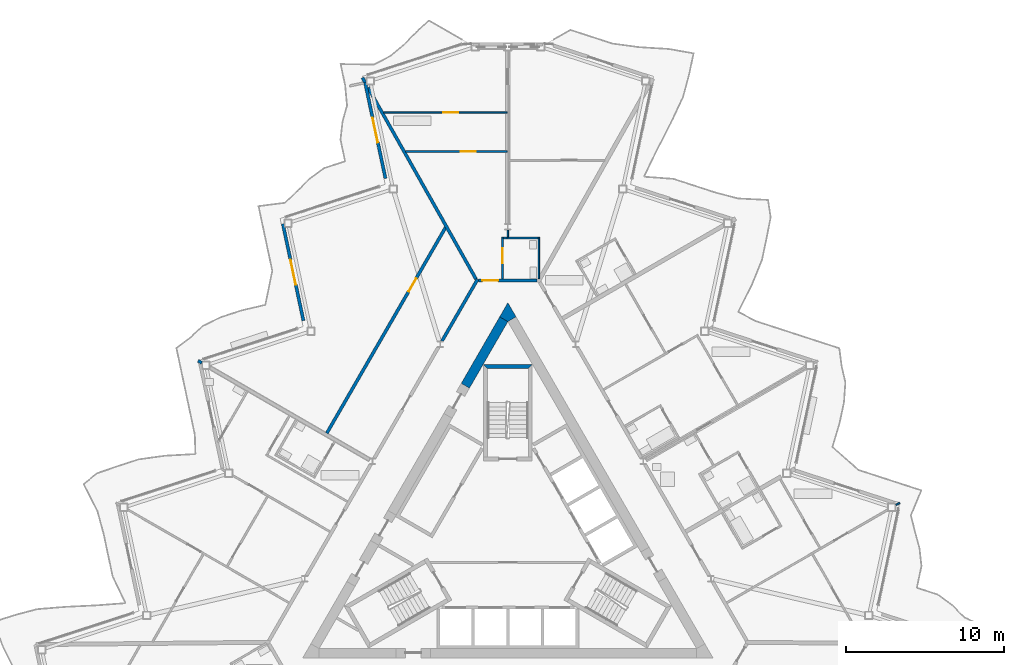
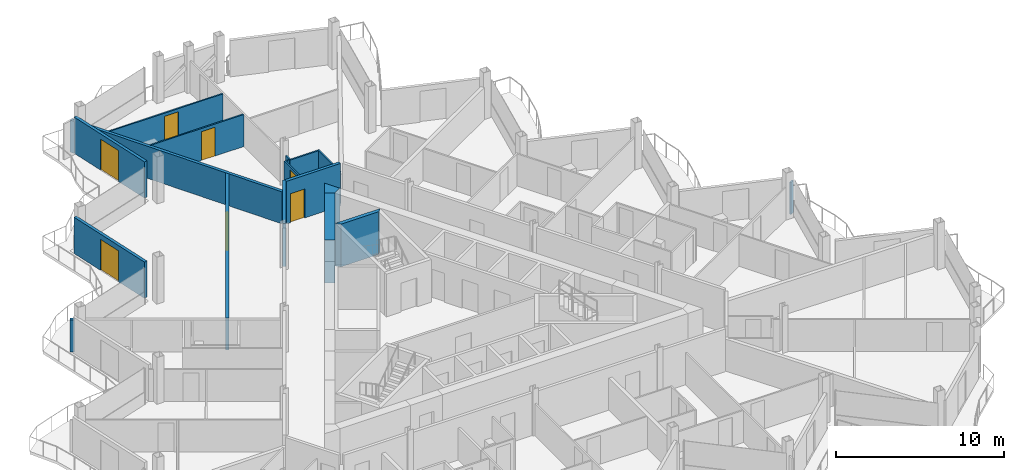
# One storey, part 17 of 26: 19 walls, 7 doors, 7 openings.
"""IFC4 building model written with IfcOpenShell, lengths in metres."""

from ifc_helpers import new_model, si_unit, direction, frame, frame_2d, origin, place, context, subcontext, project, spatial, polyline, rectangle, outline, extrude, material, layer, layer_set, type_object, element, fill, save


model = new_model("IFC4")

# Units and contexts
model_context = context("Model", 3, precision=1e-05, world=origin(), true_north=direction((0.0, 1.0)))
body_context = subcontext(model_context, "Body", "Model", "MODEL_VIEW")
ifc_project = project(units=[si_unit("LENGTHUNIT", "METRE"), si_unit("AREAUNIT", "SQUARE_METRE"), si_unit("VOLUMEUNIT", "CUBIC_METRE"), si_unit("PLANEANGLEUNIT", "RADIAN"), si_unit("MASSUNIT", "GRAM", prefix="KILO")], contexts=[model_context])

# Site, building, storey
site_placement = place(None, origin())
site = spatial("IfcSite", under=ifc_project, at=site_placement, CompositionType="ELEMENT")
building_placement = place(site_placement, origin())
building = spatial("IfcBuilding", under=site, at=building_placement, Name="Cormorant Prow Tower", CompositionType="ELEMENT")
storey_placement = place(building_placement, frame((0.0, 0.0, 374.60009765625)))
storey = spatial("IfcBuildingStorey", under=building, at=storey_placement, Name="L84", CompositionType="ELEMENT", Elevation=374.60009765625)

# Walls
ifc_material_1 = material(Name="Concrete 8000 psi", Category="concrete")
ifc_layer_1 = layer(ifc_material_1, 0.60009765625)
ifc_layer_set_1 = layer_set([ifc_layer_1], Name="Concrete 8000 psi")
wall_type_1 = type_object("IfcWallType", Name="Core shear wall 600", PredefinedType="SHEAR", material=ifc_layer_set_1)
wall_1_placement = place(storey_placement, frame((-0.259765625, 13.961181640625, 0.0), z_axis=(0.0, 0.0, 1.0), x_axis=(-0.50000604952, -0.866021911064, 0.0)))
element("IfcWall", 1, at=wall_1_placement, inside=storey, type_object=wall_type_1, Name="Core wall", PredefinedType="SHEAR", context=body_context, shape_type="SweptSolid", body=[
    extrude(rectangle(XDim=4.86865234375, YDim=0.60009765625, at=frame_2d((2.434326171875, 0.0))), origin(), (0.0, 0.0, 1.0), 3.099853515625),
])
wall_2_placement = place(storey_placement, origin())
element("IfcWall", 2, at=wall_2_placement, inside=storey, type_object=wall_type_1, Name="Core wall corner", PredefinedType="SHEAR", context=body_context, shape_type="SweptSolid", body=[
    extrude(outline(polyline([(-0.51953125, 14.111083984375), (0.0, 15.010986328125), (0.51953125, 14.111083984375), (0.0, 13.81103515625), (-0.51953125, 14.111083984375)])), origin(), (0.0, 0.0, 1.0), 3.099853515625),
])
ifc_material_2 = material(Name="Gypsum board corridor wall")
ifc_layer_2 = layer(ifc_material_2, 0.199951171875)
ifc_layer_set_2 = layer_set([ifc_layer_2], Name="Gypsum board corridor wall")
wall_type_2 = type_object("IfcWallType", Name="Corridor wall 200", PredefinedType="PARTITIONING", material=ifc_layer_set_2)
wall_3_placement = place(storey_placement, frame((-4.175537109375, 12.578857421875, 0.0), z_axis=(0.0, 0.0, 1.0), x_axis=(0.499974648164, 0.866040040179, 0.0)))
element("IfcWall", 3, at=wall_3_placement, inside=storey, type_object=wall_type_2, Name="Corridor wall", PredefinedType="PARTITIONING", context=body_context, shape_type="SweptSolid", body=[
    extrude(rectangle(XDim=4.525146484375, YDim=0.199951171875, at=frame_2d((2.2626953125, 0.0))), origin(), (0.0, 0.0, 1.0), 3.099853515625),
])

# Wall, opening, door
wall_4_placement = place(storey_placement, frame((-1.863037109375, 16.4111328125, 0.0), z_axis=(0.0, 0.0, 1.0), x_axis=(1.0, 0.0, 0.0)))
wall_4 = element("IfcWall", 4, at=wall_4_placement, inside=storey, type_object=wall_type_2, Name="Corridor wall", PredefinedType="PARTITIONING", context=body_context, shape_type="SweptSolid", body=[
    extrude(rectangle(XDim=3.700927734375, YDim=0.199951171875, at=frame_2d((1.8505859375, 0.0))), origin(), (0.0, 0.0, 1.0), 3.099853515625),
])
opening_1_placement = place(wall_4_placement, frame((0.25, 0.0, 0.0)))
opening_1 = element("IfcOpeningElement", 5, at=opening_1_placement, cuts=wall_4, Name="Opening L84-F37", PredefinedType="OPENING", context=body_context, shape_type="SweptSolid", body=[
    extrude(rectangle(XDim=1.0, YDim=2.10009765625, at=frame_2d((0.5, 1.050048828125))), frame((0.0, 0.10986328125, 0.0), z_axis=(0.0, -1.0, 0.0), x_axis=(1.0, 0.0, 0.0)), (0.0, 0.0, 1.0), 0.219970703125),
])
ifc_material_3 = material(Name="Timber door leaf", Category="wood")
door_type_1 = type_object("IfcDoorType", Name="Flat or room entrance door 1000x2100", OperationType="NOTDEFINED", PredefinedType="DOOR", material=ifc_material_3)
door_1_placement = place(opening_1_placement, origin())
door_1 = element("IfcDoor", 6, at=door_1_placement, inside=storey, type_object=door_type_1, Name="Living room door", OperationType="SINGLE_SWING_RIGHT", OverallHeight=2.10009765625, OverallWidth=1.0, PredefinedType="DOOR", context=body_context, shape_type="SweptSolid", body=[
    extrude(rectangle(XDim=1.0, YDim=2.10009765625, at=frame_2d((0.5, 1.050048828125))), frame((0.0, 0.02490234375, 0.0), z_axis=(0.0, -1.0, 0.0), x_axis=(1.0, 0.0, 0.0)), (0.0, 0.0, 1.0), 0.050048828125),
])
fill(opening_1, door_1)

ifc_material_4 = material(Name="Gypsum board demising wall")
ifc_layer_3 = layer(ifc_material_4, 0.199951171875)
ifc_layer_set_3 = layer_set([ifc_layer_3], Name="Gypsum board demising wall")
wall_type_3 = type_object("IfcWallType", Name="Demising wall 200", PredefinedType="PARTITIONING", material=ifc_layer_set_3)
wall_5_placement = place(storey_placement, frame((-11.472900390625, 6.739501953125, 0.0), z_axis=(0.0, 0.0, 1.0), x_axis=(0.500001082559, 0.866024778768, 0.0)))
wall_5 = element("IfcWall", 7, at=wall_5_placement, inside=storey, type_object=wall_type_3, Name="Demising wall", PredefinedType="PARTITIONING", context=body_context, shape_type="SweptSolid", body=[
    extrude(rectangle(XDim=15.09375, YDim=0.199951171875, at=frame_2d((7.546875, 0.0))), origin(), (0.0, 0.0, 1.0), 2.330078125),
])
opening_2_placement = place(wall_5_placement, frame((10.382568359375, 0.0, 0.0)))
opening_2 = element("IfcOpeningElement", 8, at=opening_2_placement, cuts=wall_5, Name="Opening L84-F44", PredefinedType="OPENING", context=body_context, shape_type="SweptSolid", body=[
    extrude(rectangle(XDim=0.949951171875, YDim=2.10009765625, at=frame_2d((0.47509765625, 1.050048828125))), frame((0.0, 0.10986328125, 0.0), z_axis=(0.0, -1.0, 0.0), x_axis=(1.0, 0.0, 0.0)), (0.0, 0.0, 1.0), 0.219970703125),
])
ifc_material_5 = material(Name="Timber door leaf", Category="wood")
door_type_2 = type_object("IfcDoorType", Name="Store door 950x2100", OperationType="NOTDEFINED", PredefinedType="DOOR", material=ifc_material_5)
door_2_placement = place(opening_2_placement, origin())
door_2 = element("IfcDoor", 9, at=door_2_placement, inside=storey, type_object=door_type_2, Name="Refuse room door", OperationType="SINGLE_SWING_RIGHT", OverallHeight=2.10009765625, OverallWidth=0.949951171875, PredefinedType="DOOR", context=body_context, shape_type="SweptSolid", body=[
    extrude(rectangle(XDim=0.949951171875, YDim=2.10009765625, at=frame_2d((0.47509765625, 1.050048828125))), frame((0.0, 0.02490234375, 0.0), z_axis=(0.0, -1.0, 0.0), x_axis=(1.0, 0.0, 0.0)), (0.0, 0.0, 1.0), 0.050048828125),
])
fill(opening_2, door_2)

# Walls
wall_6_placement = place(storey_placement, frame((-8.864990234375, 28.649169921875, 0.0), z_axis=(0.0, 0.0, 1.0), x_axis=(0.491236420263, -0.871026279401, 0.0)))
element("IfcWall", 10, at=wall_6_placement, inside=storey, type_object=wall_type_3, Name="Demising wall", PredefinedType="PARTITIONING", context=body_context, shape_type="SweptSolid", body=[
    extrude(rectangle(XDim=13.949951171875, YDim=0.199951171875, at=frame_2d((6.97509765625, 0.0))), origin(), (0.0, 0.0, 1.0), 2.330078125),
])
wall_7_placement = place(storey_placement, frame((-9.211181640625, 29.262939453125, 0.0), z_axis=(0.0, 0.0, 1.0), x_axis=(0.4910719836, -0.871118996994, 0.0)))
element("IfcWall", 11, at=wall_7_placement, inside=storey, type_object=wall_type_3, Name="Demising wall", PredefinedType="PARTITIONING", context=body_context, shape_type="SweptSolid", body=[
    extrude(rectangle(XDim=0.343017578125, YDim=0.199951171875, at=frame_2d((0.17138671875, 0.0))), origin(), (0.0, 0.0, 1.0), 2.330078125),
])
wall_8_placement = place(storey_placement, frame((-19.62890625, 11.332763671875, 0.0), z_axis=(0.0, 0.0, 1.0), x_axis=(0.866068339032, -0.499925626596, 0.0)))
element("IfcWall", 12, at=wall_8_placement, inside=storey, type_object=wall_type_3, Name="Demising wall", PredefinedType="PARTITIONING", context=body_context, shape_type="SweptSolid", body=[
    extrude(rectangle(XDim=0.27734375, YDim=0.199951171875, at=frame_2d((0.138671875, 0.0))), origin(), (0.0, 0.0, 1.0), 2.330078125),
])

# Wall, opening, door
ifc_material_6 = material(Name="Gypsum board partition")
ifc_layer_4 = layer(ifc_material_6, 0.10009765625)
ifc_layer_set_4 = layer_set([ifc_layer_4], Name="Gypsum board partition")
wall_type_4 = type_object("IfcWallType", Name="Internal partition 100", PredefinedType="PARTITIONING", material=ifc_layer_set_4)
wall_9_placement = place(storey_placement, frame((-7.870849609375, 27.063720703125, 0.0), z_axis=(0.0, 0.0, 1.0), x_axis=(1.0, 0.0, 0.0)))
wall_9 = element("IfcWall", 13, at=wall_9_placement, inside=storey, type_object=wall_type_4, Name="Internal partition", PredefinedType="PARTITIONING", context=body_context, shape_type="SweptSolid", body=[
    extrude(rectangle(XDim=7.82080078125, YDim=0.10009765625, at=frame_2d((3.910400390625, 0.0))), origin(), (0.0, 0.0, 1.0), 2.330078125),
])
opening_3_placement = place(wall_9_placement, frame((3.789306640625, 0.0, 0.0)))
opening_3 = element("IfcOpeningElement", 14, at=opening_3_placement, cuts=wall_9, Name="Opening L84-F40", PredefinedType="OPENING", context=body_context, shape_type="SweptSolid", body=[
    extrude(rectangle(XDim=0.949951171875, YDim=2.10009765625, at=frame_2d((0.47509765625, 1.050048828125))), frame((0.0, 0.06005859375, 0.0), z_axis=(0.0, -1.0, 0.0), x_axis=(1.0, 0.0, 0.0)), (0.0, 0.0, 1.0), 0.1201171875),
])
ifc_material_7 = material(Name="Timber door leaf", Category="wood")
door_type_3 = type_object("IfcDoorType", Name="Bathroom door 950x2100", OperationType="NOTDEFINED", PredefinedType="DOOR", material=ifc_material_7)
door_3_placement = place(opening_3_placement, origin())
door_3 = element("IfcDoor", 15, at=door_3_placement, inside=storey, type_object=door_type_3, Name="Kitchen door", OperationType="SINGLE_SWING_LEFT", OverallHeight=2.10009765625, OverallWidth=0.949951171875, PredefinedType="DOOR", context=body_context, shape_type="SweptSolid", body=[
    extrude(rectangle(XDim=0.949951171875, YDim=2.10009765625, at=frame_2d((0.47509765625, 1.050048828125))), frame((0.0, 0.02490234375, 0.0), z_axis=(0.0, -1.0, 0.0), x_axis=(1.0, 0.0, 0.0)), (0.0, 0.0, 1.0), 0.050048828125),
])
fill(opening_3, door_3)

wall_10_placement = place(storey_placement, frame((-6.47509765625, 24.588623046875, 0.0), z_axis=(0.0, 0.0, 1.0), x_axis=(1.0, 0.0, 0.0)))
wall_10 = element("IfcWall", 16, at=wall_10_placement, inside=storey, type_object=wall_type_4, Name="Internal partition", PredefinedType="PARTITIONING", context=body_context, shape_type="SweptSolid", body=[
    extrude(rectangle(XDim=6.425048828125, YDim=0.10009765625, at=frame_2d((3.21240234375, 0.0))), origin(), (0.0, 0.0, 1.0), 2.330078125),
])
opening_4_placement = place(wall_10_placement, frame((3.4990234375, 0.0, 0.0)))
opening_4 = element("IfcOpeningElement", 17, at=opening_4_placement, cuts=wall_10, Name="Opening L84-F39", PredefinedType="OPENING", context=body_context, shape_type="SweptSolid", body=[
    extrude(rectangle(XDim=0.949951171875, YDim=2.10009765625, at=frame_2d((0.47509765625, 1.050048828125))), frame((0.0, 0.06005859375, 0.0), z_axis=(0.0, -1.0, 0.0), x_axis=(1.0, 0.0, 0.0)), (0.0, 0.0, 1.0), 0.1201171875),
])
door_4_placement = place(opening_4_placement, origin())
door_4 = element("IfcDoor", 18, at=door_4_placement, inside=storey, type_object=door_type_3, Name="Living room door", OperationType="SINGLE_SWING_RIGHT", OverallHeight=2.10009765625, OverallWidth=0.949951171875, PredefinedType="DOOR", context=body_context, shape_type="SweptSolid", body=[
    extrude(rectangle(XDim=0.949951171875, YDim=2.10009765625, at=frame_2d((0.47509765625, 1.050048828125))), frame((0.0, 0.02490234375, 0.0), z_axis=(0.0, -1.0, 0.0), x_axis=(1.0, 0.0, 0.0)), (0.0, 0.0, 1.0), 0.050048828125),
])
fill(opening_4, door_4)

# Wall
wall_11_placement = place(storey_placement, frame((1.962890625, 16.5361328125, 0.0), z_axis=(0.0, 0.0, 1.0), x_axis=(0.0, 1.0, 0.0)))
element("IfcWall", 19, at=wall_11_placement, inside=storey, type_object=wall_type_4, Name="Internal partition", PredefinedType="PARTITIONING", context=body_context, shape_type="SweptSolid", body=[
    extrude(rectangle(XDim=2.625, YDim=0.10009765625, at=frame_2d((1.3125, 0.0))), origin(), (0.0, 0.0, 1.0), 2.330078125),
])

# Wall, opening, door
wall_12_placement = place(storey_placement, frame((-0.3369140625, 16.510986328125, 0.0), z_axis=(0.0, 0.0, 1.0), x_axis=(0.0, 1.0, 0.0)))
wall_12 = element("IfcWall", 20, at=wall_12_placement, inside=storey, type_object=wall_type_4, Name="Internal partition", PredefinedType="PARTITIONING", context=body_context, shape_type="SweptSolid", body=[
    extrude(rectangle(XDim=2.649169921875, YDim=0.10009765625, at=frame_2d((1.32470703125, 0.0))), origin(), (0.0, 0.0, 1.0), 2.330078125),
])
opening_5_placement = place(wall_12_placement, frame((1.01318359375, 0.0, 0.0)))
opening_5 = element("IfcOpeningElement", 21, at=opening_5_placement, cuts=wall_12, Name="Opening L84-F38", PredefinedType="OPENING", context=body_context, shape_type="SweptSolid", body=[
    extrude(rectangle(XDim=0.949951171875, YDim=2.10009765625, at=frame_2d((0.47509765625, 1.050048828125))), frame((0.0, 0.06005859375, 0.0), z_axis=(0.0, -1.0, 0.0), x_axis=(1.0, 0.0, 0.0)), (0.0, 0.0, 1.0), 0.1201171875),
])
door_5_placement = place(opening_5_placement, origin())
door_5 = element("IfcDoor", 22, at=door_5_placement, inside=storey, type_object=door_type_3, Name="Living room door", OperationType="SINGLE_SWING_RIGHT", OverallHeight=2.10009765625, OverallWidth=0.949951171875, PredefinedType="DOOR", context=body_context, shape_type="SweptSolid", body=[
    extrude(rectangle(XDim=0.949951171875, YDim=2.10009765625, at=frame_2d((0.47509765625, 1.050048828125))), frame((0.0, 0.02490234375, 0.0), z_axis=(0.0, -1.0, 0.0), x_axis=(1.0, 0.0, 0.0)), (0.0, 0.0, 1.0), 0.050048828125),
])
fill(opening_5, door_5)

# Walls
wall_13_placement = place(storey_placement, frame((-0.06005859375, 19.111083984375, 0.0), z_axis=(0.0, 0.0, 1.0), x_axis=(1.0, 0.0, 0.0)))
element("IfcWall", 23, at=wall_13_placement, inside=storey, type_object=wall_type_4, Name="Internal partition", PredefinedType="PARTITIONING", context=body_context, shape_type="SweptSolid", body=[
    extrude(rectangle(XDim=1.97314453125, YDim=0.10009765625, at=frame_2d((0.986572265625, 0.0))), origin(), (0.0, 0.0, 1.0), 2.330078125),
])
wall_14_placement = place(storey_placement, frame((0.0, 19.1611328125, 0.0), z_axis=(0.0, 0.0, 1.0), x_axis=(0.0, 1.0, 0.0)))
element("IfcWall", 24, at=wall_14_placement, inside=storey, type_object=wall_type_4, Name="Internal partition", PredefinedType="PARTITIONING", context=body_context, shape_type="SweptSolid", body=[
    extrude(rectangle(XDim=0.452880859375, YDim=0.10009765625, at=frame_2d((0.2265625, 0.0))), origin(), (0.0, 0.0, 1.0), 2.330078125),
])
wall_15_placement = place(storey_placement, frame((24.588623046875, 2.1875, 0.0), z_axis=(0.0, 0.0, 1.0), x_axis=(0.866288059981, 0.499544789918, 0.0)))
element("IfcWall", 25, at=wall_15_placement, inside=storey, type_object=wall_type_4, Name="Internal partition", PredefinedType="PARTITIONING", context=body_context, shape_type="SweptSolid", body=[
    extrude(rectangle(XDim=0.277587890625, YDim=0.10009765625, at=frame_2d((0.138671875, 0.0))), origin(), (0.0, 0.0, 1.0), 2.330078125),
])
wall_16_placement = place(storey_placement, frame((-0.287109375, 19.1103515625, 0.0), z_axis=(0.0, 0.0, 1.0), x_axis=(0.999994683407, 0.003260852229, 0.0)))
element("IfcWall", 26, at=wall_16_placement, inside=storey, type_object=wall_type_4, Name="Internal partition", PredefinedType="PARTITIONING", context=body_context, shape_type="SweptSolid", body=[
    extrude(rectangle(XDim=0.224609375, YDim=0.10009765625, at=frame_2d((0.1123046875, 0.0))), origin(), (0.0, 0.0, 1.0), 2.330078125),
])
ifc_material_8 = material(Name="Concrete 8000 psi", Category="concrete")
ifc_layer_5 = layer(ifc_material_8, 0.25)
ifc_layer_set_5 = layer_set([ifc_layer_5], Name="Concrete 8000 psi")
wall_type_5 = type_object("IfcWallType", Name="Stair wall 250", PredefinedType="SHEAR", material=ifc_layer_set_5)
wall_17_placement = place(storey_placement, origin())
element("IfcWall", 27, at=wall_17_placement, inside=storey, type_object=wall_type_5, Name="Stair ST3 enclosure wall (end)", PredefinedType="SHEAR", context=body_context, shape_type="SweptSolid", body=[
    extrude(outline(polyline([(1.5439453125, 11.0869140625), (-1.5439453125, 11.0869140625), (-1.2939453125, 10.8369140625), (1.2939453125, 10.8369140625), (1.5439453125, 11.0869140625)])), origin(), (0.0, 0.0, 1.0), 3.099853515625),
])

# Wall, opening, door
ifc_material_9 = material(Name="Terracotta", Category="masonry")
ifc_layer_6 = layer(ifc_material_9, 0.199951171875)
ifc_layer_set_6 = layer_set([ifc_layer_6], Name="Terracotta")
wall_type_6 = type_object("IfcWallType", Name="Terracotta jamb wall 200", PredefinedType="SOLIDWALL", material=ifc_layer_set_6)
wall_18_placement = place(storey_placement, frame((-9.05517578125, 29.009033203125, 0.0), z_axis=(0.0, 0.0, 1.0), x_axis=(0.207926797195, -0.978144389652, 0.0)))
wall_18 = element("IfcWall", 28, at=wall_18_placement, inside=storey, type_object=wall_type_6, Name="Terracotta jamb wall WNW01", PredefinedType="SOLIDWALL", context=body_context, shape_type="SweptSolid", body=[
    extrude(rectangle(XDim=6.265380859375, YDim=0.199951171875, at=frame_2d((3.1328125, 0.0))), origin(), (0.0, 0.0, 1.0), 2.6337890625),
])
opening_6_placement = place(wall_18_placement, frame((2.332763671875, 0.0, 0.0)))
opening_6 = element("IfcOpeningElement", 29, at=opening_6_placement, cuts=wall_18, Name="Opening ED84.11", PredefinedType="OPENING", context=body_context, shape_type="SweptSolid", body=[
    extrude(rectangle(XDim=1.60009765625, YDim=2.25, at=frame_2d((0.800048828125, 1.125))), frame((0.0, 0.10986328125, 0.0), z_axis=(0.0, -1.0, 0.0), x_axis=(1.0, 0.0, 0.0)), (0.0, 0.0, 1.0), 0.219970703125),
])
ifc_material_10 = material(Name="Aluminium 6063-T6", Category="aluminium")
door_type_4 = type_object("IfcDoorType", Name="Balcony door 1600x2250", OperationType="DOUBLE_DOOR_SINGLE_SWING", PredefinedType="DOOR", material=ifc_material_10)
door_6_placement = place(opening_6_placement, origin())
door_6 = element("IfcDoor", 30, at=door_6_placement, inside=storey, type_object=door_type_4, Name="Balcony door WNW01 ED84.11", OperationType="DOUBLE_DOOR_SINGLE_SWING", OverallHeight=2.25, OverallWidth=1.60009765625, PredefinedType="DOOR", context=body_context, shape_type="SweptSolid", body=[
    extrude(rectangle(XDim=1.60009765625, YDim=2.25, at=frame_2d((0.800048828125, 1.125))), frame((0.0, 0.02490234375, 0.0), z_axis=(0.0, -1.0, 0.0), x_axis=(1.0, 0.0, 0.0)), (0.0, 0.0, 1.0), 0.050048828125),
])
fill(opening_6, door_6)

wall_19_placement = place(storey_placement, frame((-14.255126953125, 20.002197265625, 0.0), z_axis=(0.0, 0.0, 1.0), x_axis=(0.207926797195, -0.978144389652, 0.0)))
wall_19 = element("IfcWall", 31, at=wall_19_placement, inside=storey, type_object=wall_type_6, Name="Terracotta jamb wall WNW03", PredefinedType="SOLIDWALL", context=body_context, shape_type="SweptSolid", body=[
    extrude(rectangle(XDim=6.265380859375, YDim=0.199951171875, at=frame_2d((3.1328125, 0.0))), origin(), (0.0, 0.0, 1.0), 2.6337890625),
])
opening_7_placement = place(wall_19_placement, frame((2.332763671875, 0.0, 0.0)))
opening_7 = element("IfcOpeningElement", 32, at=opening_7_placement, cuts=wall_19, Name="Opening ED84.12", PredefinedType="OPENING", context=body_context, shape_type="SweptSolid", body=[
    extrude(rectangle(XDim=1.60009765625, YDim=2.25, at=frame_2d((0.800048828125, 1.125))), frame((0.0, 0.10986328125, 0.0), z_axis=(0.0, -1.0, 0.0), x_axis=(1.0, 0.0, 0.0)), (0.0, 0.0, 1.0), 0.219970703125),
])
door_7_placement = place(opening_7_placement, origin())
door_7 = element("IfcDoor", 33, at=door_7_placement, inside=storey, type_object=door_type_4, Name="Balcony door WNW03 ED84.12", OperationType="DOUBLE_DOOR_SINGLE_SWING", OverallHeight=2.25, OverallWidth=1.60009765625, PredefinedType="DOOR", context=body_context, shape_type="SweptSolid", body=[
    extrude(rectangle(XDim=1.60009765625, YDim=2.25, at=frame_2d((0.800048828125, 1.125))), frame((0.0, 0.02490234375, 0.0), z_axis=(0.0, -1.0, 0.0), x_axis=(1.0, 0.0, 0.0)), (0.0, 0.0, 1.0), 0.050048828125),
])
fill(opening_7, door_7)

save(model, "model.ifc")
